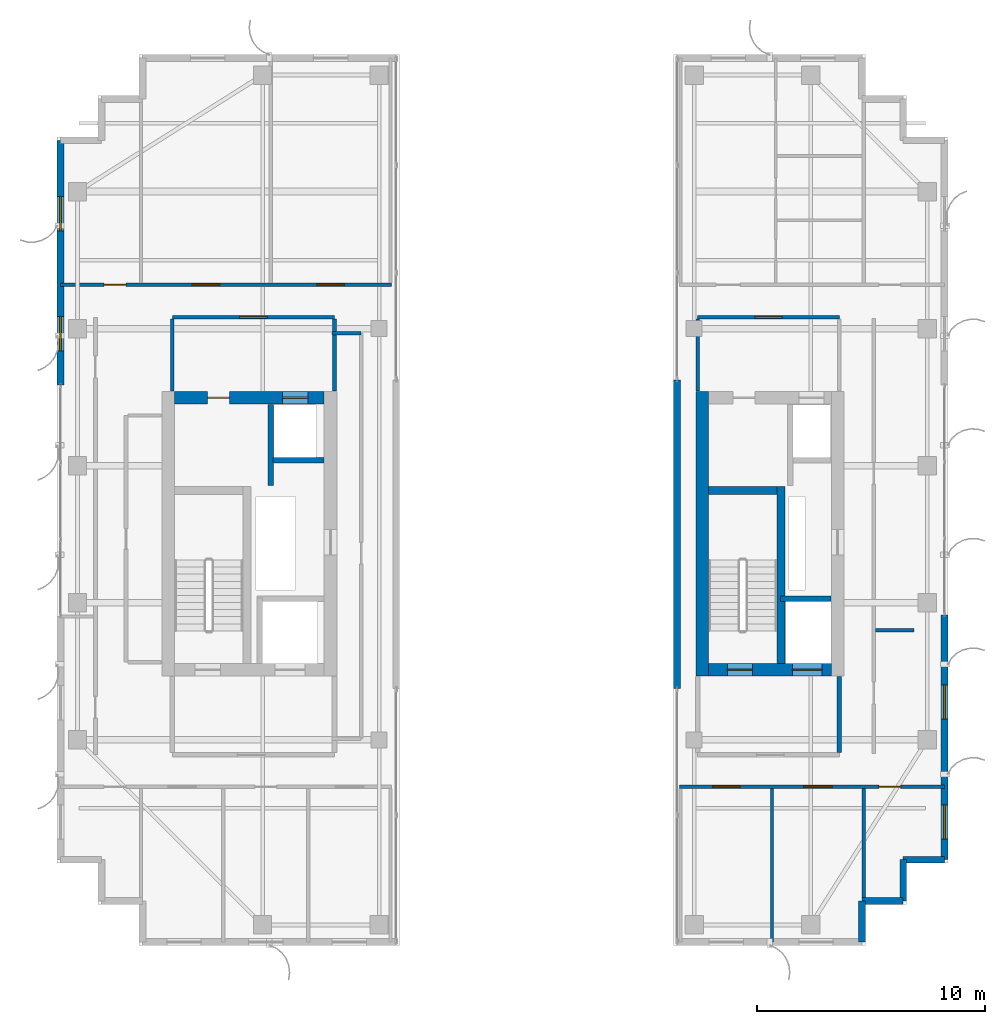
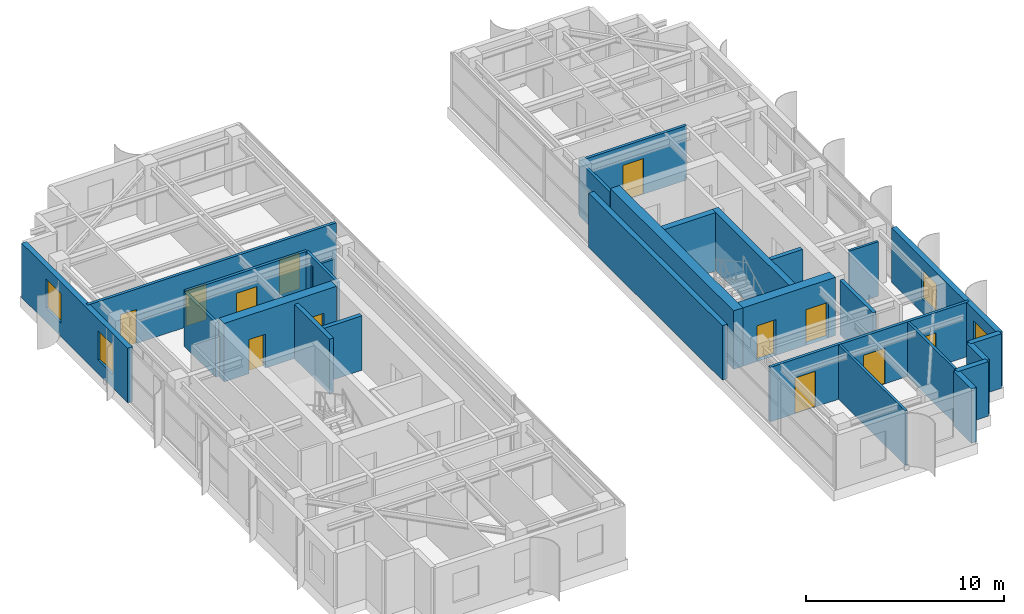
# One storey, part 19 of 24: 27 walls, 12 doors, 4 windows, 16 openings.
"""IFC4 building model written with IfcOpenShell, lengths in metres."""

import ifcopenshell
import ifcopenshell.guid

model = None  # the IFC model being written
_history = None  # IfcOwnerHistory: only IFC2X3 demands one
_inside = {}  # id of a spatial element -> (the spatial element, [elements in it])
_under = {}  # id of a project, library or spatial element -> (it, [spatial elements below it])
_declared = {}  # id of a project -> (the project, [libraries it declares])
_typed = {}  # id of a type object -> (the type object, [elements of that type])
_made_of = {}  # id of a material, layer set ... -> (it, [elements and type objects made of it])


def new_model(schema):
    """Start an empty IFC model of exactly this schema.

    Asked for "IFC4X3", IfcOpenShell would pick the latest addendum, in which some entities
    have other attributes; the version numbers below select the first issue.
    IFC2X3 requires an IfcOwnerHistory on every rooted entity: one is made here for all.
    """
    global model, _history
    if schema == "IFC4X3":
        model = ifcopenshell.file(schema_version=(4, 3, 0, 0))
    else:
        model = ifcopenshell.file(schema=schema)
    _inside.clear()
    _under.clear()
    _declared.clear()
    _typed.clear()
    _made_of.clear()
    _history = None
    if model.schema == "IFC2X3":
        org = make("IfcOrganization", Name="unknown")
        user = make(
            "IfcPersonAndOrganization",
            ThePerson=make("IfcPerson", FamilyName="unknown"),
            TheOrganization=org,
        )
        app = make(
            "IfcApplication",
            ApplicationDeveloper=org,
            Version="unknown",
            ApplicationFullName="unknown",
            ApplicationIdentifier="unknown",
        )
        _history = make(
            "IfcOwnerHistory",
            OwningUser=user,
            OwningApplication=app,
            ChangeAction="ADDED",
            CreationDate=0,
        )
    return model


def make(cls, **values):
    """One entity of the class cls with the attributes given. An attribute that is None is left unset."""
    return model.create_entity(
        cls, **{name: value for name, value in values.items() if value is not None}
    )


def rooted(cls, **values):
    """An entity with a GlobalId (a new one), such as an element, a storey or a relation."""
    return make(cls, GlobalId=ifcopenshell.guid.new(), OwnerHistory=_history, **values)


def si_unit(unit_type, name, prefix=None):
    """IfcSIUnit, for example si_unit("LENGTHUNIT", "METRE", prefix="MILLI")."""
    return make("IfcSIUnit", UnitType=unit_type, Prefix=prefix, Name=name)


def assignment(units):
    """IfcUnitAssignment: the units of a project."""
    return None if units is None else make("IfcUnitAssignment", Units=units)


def point(xyz):
    """IfcCartesianPoint."""
    return None if xyz is None else make("IfcCartesianPoint", Coordinates=xyz)


def direction(xyz):
    """IfcDirection."""
    return None if xyz is None else make("IfcDirection", DirectionRatios=xyz)


def frame(location, z_axis=None, x_axis=None):
    """IfcAxis2Placement3D, a coordinate frame: its origin and axes. An axis left out is left unset."""
    return make(
        "IfcAxis2Placement3D",
        Location=point(location),
        Axis=direction(z_axis),
        RefDirection=direction(x_axis),
    )


def frame_2d(location, x_axis=None):
    """IfcAxis2Placement2D, a coordinate frame in the plane: its origin and x axis."""
    return make(
        "IfcAxis2Placement2D", Location=point(location), RefDirection=direction(x_axis)
    )


def origin():
    """The frame at (0, 0, 0) with its axes left unset."""
    return frame((0.0, 0.0, 0.0))


def place(relative_to, where):
    """IfcLocalPlacement: puts the frame where relative to a parent placement (None: the world)."""
    return make(
        "IfcLocalPlacement", PlacementRelTo=relative_to, RelativePlacement=where
    )


def context(
    kind, dimensions, precision=None, world=None, true_north=None, identifier=None
):
    """IfcGeometricRepresentationContext, for example the 3D "Model" context."""
    return make(
        "IfcGeometricRepresentationContext",
        ContextIdentifier=identifier,
        ContextType=kind,
        CoordinateSpaceDimension=dimensions,
        Precision=precision,
        WorldCoordinateSystem=world,
        TrueNorth=true_north,
    )


def subcontext(parent, identifier, kind, view, scale=None):
    """IfcGeometricRepresentationSubContext, for example "Body" below "Model"."""
    return make(
        "IfcGeometricRepresentationSubContext",
        ContextIdentifier=identifier,
        ContextType=kind,
        ParentContext=parent,
        TargetScale=scale,
        TargetView=view,
    )


def project(units=None, contexts=None):
    """IfcProject with its units and contexts."""
    return rooted(
        "IfcProject",
        Name="project",
        RepresentationContexts=contexts,
        UnitsInContext=assignment(units),
    )


def spatial(cls, under=None, at=None, **own):
    """A site, building, storey or space (cls), placed at a placement, below another one or the project."""
    s = rooted(cls, ObjectPlacement=at, **own)
    if under is not None:
        _under.setdefault(under.id(), (under, []))[1].append(s)
    return s


def profile(cls, at=None, kind="AREA", **sizes):
    """A parametric profile (cls). Its sizes go by their IFC names, for example OverallWidth=200.0."""
    return make(cls, ProfileType=kind, Position=at, **sizes)


def rectangle(**sizes):
    """IfcRectangleProfileDef."""
    return profile("IfcRectangleProfileDef", **sizes)


def extrude(swept, where, along, depth):
    """IfcExtrudedAreaSolid: the profile swept, set in the frame where, extruded along a direction by depth."""
    return make(
        "IfcExtrudedAreaSolid",
        SweptArea=swept,
        Position=where,
        ExtrudedDirection=direction(along),
        Depth=depth,
    )


def shape(context_of_items, identifier, shape_type, items):
    """IfcShapeRepresentation: the items that make up one representation, for example the "Body"."""
    return make(
        "IfcShapeRepresentation",
        ContextOfItems=context_of_items,
        RepresentationIdentifier=identifier,
        RepresentationType=shape_type,
        Items=items,
    )


def source(mapping_origin, context_of_items, identifier, shape_type, items):
    """IfcRepresentationMap: a shape defined once, which mapped items show again and again."""
    return make(
        "IfcRepresentationMap",
        MappingOrigin=mapping_origin,
        MappedRepresentation=shape(context_of_items, identifier, shape_type, items),
    )


def transform(
    local_origin,
    x_axis=None,
    y_axis=None,
    z_axis=None,
    scale=None,
    scale2=None,
    scale3=None,
    uniform=True,
):
    """IfcCartesianTransformationOperator3D, or its non-uniform kind. x_axis, y_axis, z_axis: its Axis1, 2, 3."""
    if uniform:
        return make(
            "IfcCartesianTransformationOperator3D",
            Axis1=direction(x_axis),
            Axis2=direction(y_axis),
            LocalOrigin=point(local_origin),
            Scale=scale,
            Axis3=direction(z_axis),
        )
    return make(
        "IfcCartesianTransformationOperator3DnonUniform",
        Axis1=direction(x_axis),
        Axis2=direction(y_axis),
        LocalOrigin=point(local_origin),
        Scale=scale,
        Axis3=direction(z_axis),
        Scale2=scale2,
        Scale3=scale3,
    )


def mapped(mapping_source, mapping_target):
    """IfcMappedItem: shows the shape of a source again, moved by a transform."""
    return make(
        "IfcMappedItem", MappingSource=mapping_source, MappingTarget=mapping_target
    )


def material(Name=None, Category=None):
    """IfcMaterial."""
    return make("IfcMaterial", Name=Name, Category=Category)


def layer(
    of_material, thickness, ventilated=None, Name=None, Category=None, Priority=None
):
    """IfcMaterialLayer: one layer of a wall or slab, of a material (None: an air gap)."""
    return make(
        "IfcMaterialLayer",
        Material=of_material,
        LayerThickness=thickness,
        IsVentilated=ventilated,
        Name=Name,
        Category=Category,
        Priority=Priority,
    )


def layer_set(layers, Name=None):
    """IfcMaterialLayerSet."""
    return make("IfcMaterialLayerSet", MaterialLayers=layers, LayerSetName=Name)


def made_of(thing, what):
    """Note that an element or type object is made of a material, layer set ...; save() writes the relation."""
    if what is not None:
        _made_of.setdefault(what.id(), (what, []))[1].append(thing)
    return thing


def type_object(cls, material=None, **own):
    """A type object (cls), such as IfcWallType, which elements share."""
    return made_of(rooted(cls, **own), material)


def element(
    cls,
    number,
    at=None,
    inside=None,
    cuts=None,
    type_object=None,
    material=None,
    context=None,
    identifier="Body",
    shape_type=None,
    held_by="IfcProductDefinitionShape",
    body=None,
    shapes=None,
    **own,
):
    """One element of the class cls, such as IfcWall. Its Tag is "e" and its number.

    at: its placement. inside: the storey or other place that contains it. cuts: it is an
    opening in that element (IfcRelVoidsElement). A single representation is given by context,
    identifier, shape_type and body (its items); several are given by shapes. held_by: the class
    of the entity that holds the representations. save() writes the other relations.
    """
    e = rooted(cls, Tag="e%d" % number, ObjectPlacement=at, **own)
    if body is not None:
        shapes = [shape(context, identifier, shape_type, body)]
    if shapes is not None:
        e.Representation = make(held_by, Representations=shapes)
    if inside is not None:
        _inside.setdefault(inside.id(), (inside, []))[1].append(e)
    if cuts is not None:
        rooted(
            "IfcRelVoidsElement", RelatingBuildingElement=cuts, RelatedOpeningElement=e
        )
    if type_object is not None:
        _typed.setdefault(type_object.id(), (type_object, []))[1].append(e)
    return made_of(e, material)


def fill(opening, filler):
    """IfcRelFillsElement: the door or window that sits in an opening."""
    return rooted(
        "IfcRelFillsElement",
        RelatingOpeningElement=opening,
        RelatedBuildingElement=filler,
    )


def aggregate(whole, parts):
    """IfcRelAggregates: a whole, such as a stair, and the parts it consists of."""
    return rooted("IfcRelAggregates", RelatingObject=whole, RelatedObjects=parts)


def save(model, path):
    """Write the relations noted so far, then the file.

    IfcRelAggregates (storeys below a building ...), IfcRelContainedInSpatialStructure (elements
    in a storey), IfcRelDefinesByType, IfcRelAssociatesMaterial and IfcRelDeclares: one each for
    every whole, place, type object, material and project.
    """
    for whole, parts in _under.values():
        aggregate(whole, parts)
    for where, things in _inside.values():
        rooted(
            "IfcRelContainedInSpatialStructure",
            RelatedElements=things,
            RelatingStructure=where,
        )
    for kind, things in _typed.values():
        rooted("IfcRelDefinesByType", RelatedObjects=things, RelatingType=kind)
    for what, things in _made_of.values():
        rooted("IfcRelAssociatesMaterial", RelatedObjects=things, RelatingMaterial=what)
    for by, libraries in _declared.values():
        rooted("IfcRelDeclares", RelatingContext=by, RelatedDefinitions=libraries)
    model.write(path)


model = new_model("IFC4")

# Units and contexts
model_context = context("Model", 3, precision=1e-05, world=origin(), true_north=direction((0.0, 1.0)))
body_context = subcontext(model_context, "Body", "Model", "MODEL_VIEW")
ifc_project = project(units=[si_unit("LENGTHUNIT", "METRE"), si_unit("AREAUNIT", "SQUARE_METRE"), si_unit("VOLUMEUNIT", "CUBIC_METRE"), si_unit("PLANEANGLEUNIT", "RADIAN"), si_unit("MASSUNIT", "GRAM", prefix="KILO")], contexts=[model_context])

# Site, building, storey
site_placement = place(None, origin())
site = spatial("IfcSite", under=ifc_project, at=site_placement, CompositionType="ELEMENT")
building_placement = place(site_placement, origin())
building = spatial("IfcBuilding", under=site, at=building_placement, Name="Khoralis Quay Care Tower", CompositionType="ELEMENT")
storey_placement = place(building_placement, frame((0.0, 0.0, 227.699951171875)))
storey = spatial("IfcBuildingStorey", under=building, at=storey_placement, Name="L59", CompositionType="ELEMENT", Elevation=227.699951171875)

# Wall
ifc_material_1 = material(Name="Gypsum plasterboard on acoustic metal stud")
ifc_layer_1 = layer(ifc_material_1, 0.199951171875)
ifc_layer_set_1 = layer_set([ifc_layer_1], Name="Gypsum plasterboard on acoustic metal stud")
wall_type_1 = type_object("IfcWallType", Name="WL-COMP-200", PredefinedType="PARTITIONING", material=ifc_layer_set_1)
wall_1_placement = place(storey_placement, frame((37.25, 11.445068359375, 0.0), z_axis=(0.0, 0.0, 1.0), x_axis=(0.0, 1.0, 0.0)))
element("IfcWall", 1, at=wall_1_placement, inside=storey, type_object=wall_type_1, Name="L59 East Firefighting Lobby East Wall", PredefinedType="PARTITIONING", context=body_context, shape_type="SweptSolid", body=[
    extrude(rectangle(XDim=3.3349609375, YDim=0.199951171875, at=frame_2d((1.66748046875, 0.0))), origin(), (0.0, 0.0, 1.0), 3.360107421875),
])

# Wall, openings, doors
ifc_material_2 = material(Name="Concrete C65/80", Category="concrete")
ifc_layer_2 = layer(ifc_material_2, 0.550048828125)
ifc_layer_set_2 = layer_set([ifc_layer_2], Name="Concrete C65/80")
wall_type_2 = type_object("IfcWallType", Name="WL-CORE-550", PredefinedType="SHEAR", material=ifc_layer_set_2)
wall_2_placement = place(storey_placement, frame((8.14990234375, 26.97509765625, 0.0), z_axis=(0.0, 0.0, 1.0), x_axis=(1.0, 0.0, 0.0)))
wall_2 = element("IfcWall", 2, at=wall_2_placement, inside=storey, type_object=wall_type_2, Name="L59 WCORE North Shear Wall", PredefinedType="SHEAR", context=body_context, shape_type="SweptSolid", body=[
    extrude(rectangle(XDim=6.550048828125, YDim=0.550048828125, at=frame_2d((3.27490234375, 0.0))), origin(), (0.0, 0.0, 1.0), 3.60009765625),
])
opening_1_placement = place(wall_2_placement, frame((1.449951171875, 0.0, 0.0)))
opening_1 = element("IfcOpeningElement", 3, at=opening_1_placement, cuts=wall_2, Name="Opening ID1", PredefinedType="OPENING", context=body_context, shape_type="SweptSolid", body=[
    extrude(rectangle(XDim=0.949951171875, YDim=2.10009765625, at=frame_2d((0.47509765625, 1.050048828125))), frame((0.0, 0.28515625, 0.0), z_axis=(0.0, -1.0, 0.0), x_axis=(1.0, 0.0, 0.0)), (0.0, 0.0, 1.0), 0.570068359375),
])
opening_2_placement = place(wall_2_placement, frame((4.72998046875, 0.0, 0.0)))
opening_2 = element("IfcOpeningElement", 4, at=opening_2_placement, cuts=wall_2, Name="Opening LD1", PredefinedType="OPENING", context=body_context, shape_type="SweptSolid", body=[
    extrude(rectangle(XDim=1.10009765625, YDim=2.199951171875, at=frame_2d((0.550048828125, 1.10009765625))), frame((0.0, 0.28515625, 0.0), z_axis=(0.0, -1.0, 0.0), x_axis=(1.0, 0.0, 0.0)), (0.0, 0.0, 1.0), 0.570068359375),
])
ifc_material_3 = material(Name="Brushed stainless steel", Category="steel")
door_type_1 = type_object("IfcDoorType", Name="DR-LIFT-1100X2200", OperationType="SLIDING_TO_LEFT", PredefinedType="DOOR", material=ifc_material_3)
shared_shape_1 = source(origin(), body_context, "Body", "SweptSolid", [
    extrude(rectangle(XDim=1.10009765625, YDim=2.199951171875, at=frame_2d((0.550048828125, 1.10009765625))), frame((0.0, 0.02490234375, 0.0), z_axis=(0.0, -1.0, 0.0), x_axis=(1.0, 0.0, 0.0)), (0.0, 0.0, 1.0), 0.050048828125),
])
door_1_placement = place(opening_2_placement, origin())
door_1 = element("IfcDoor", 5, at=door_1_placement, inside=storey, type_object=door_type_1, Name="L59 Lift PLH1 Landing Door", OperationType="SLIDING_TO_LEFT", OverallHeight=2.199951171875, OverallWidth=1.10009765625, PredefinedType="DOOR", context=body_context, shape_type="MappedRepresentation", body=[
    mapped(shared_shape_1, transform((0.0, 0.0, 0.0), scale=1.0)),
])
fill(opening_2, door_1)
ifc_material_4 = material(Name="Acoustic hardwood timber", Category="wood")
door_type_2 = type_object("IfcDoorType", Name="DR-ROOM-950X2100", OperationType="NOTDEFINED", PredefinedType="DOOR", material=ifc_material_4)
shared_shape_2 = source(origin(), body_context, "Body", "SweptSolid", [
    extrude(rectangle(XDim=0.949951171875, YDim=2.10009765625, at=frame_2d((0.47509765625, 1.050048828125))), frame((0.0, 0.02490234375, 0.0), z_axis=(0.0, -1.0, 0.0), x_axis=(1.0, 0.0, 0.0)), (0.0, 0.0, 1.0), 0.050048828125),
])
door_2_placement = place(opening_1_placement, frame((0.949951171875, 0.0, 0.0), z_axis=(0.0, 0.0, 1.0), x_axis=(-1.0, 0.0, 0.0)))
door_2 = element("IfcDoor", 6, at=door_2_placement, inside=storey, type_object=door_type_2, Name="L59 Telemetry Room Door", OperationType="SINGLE_SWING_LEFT", OverallHeight=2.10009765625, OverallWidth=0.949951171875, PredefinedType="DOOR", context=body_context, shape_type="MappedRepresentation", body=[
    mapped(shared_shape_2, transform((0.0, 0.0, 0.0), scale=1.0)),
])
fill(opening_1, door_2)

# Wall
wall_3_placement = place(storey_placement, frame((31.2451171875, 14.800048828125, 0.0), z_axis=(0.0, 0.0, 1.0), x_axis=(0.0, 1.0, 0.0)))
element("IfcWall", 7, at=wall_3_placement, inside=storey, type_object=wall_type_2, Name="L59 ECORE West Shear Wall", PredefinedType="SHEAR", context=body_context, shape_type="SweptSolid", body=[
    extrude(rectangle(XDim=12.449951171875, YDim=0.550048828125, at=frame_2d((6.22509765625, 0.0))), origin(), (0.0, 0.0, 1.0), 3.60009765625),
])

# Wall, openings, doors
wall_4_placement = place(storey_placement, frame((31.52001953125, 15.074951171875, 0.0), z_axis=(0.0, 0.0, 1.0), x_axis=(1.0, 0.0, 0.0)))
wall_4 = element("IfcWall", 8, at=wall_4_placement, inside=storey, type_object=wall_type_2, Name="L59 ECORE South Shear Wall", PredefinedType="SHEAR", context=body_context, shape_type="SweptSolid", body=[
    extrude(rectangle(XDim=5.3798828125, YDim=0.550048828125, at=frame_2d((2.68994140625, 0.0))), origin(), (0.0, 0.0, 1.0), 3.60009765625),
])
opening_3_placement = place(wall_4_placement, frame((0.830078125, 0.0, 0.0)))
opening_3 = element("IfcOpeningElement", 9, at=opening_3_placement, cuts=wall_4, Name="Opening SD1", PredefinedType="OPENING", context=body_context, shape_type="SweptSolid", body=[
    extrude(rectangle(XDim=1.10009765625, YDim=2.199951171875, at=frame_2d((0.550048828125, 1.10009765625))), frame((0.0, 0.28515625, 0.0), z_axis=(0.0, -1.0, 0.0), x_axis=(1.0, 0.0, 0.0)), (0.0, 0.0, 1.0), 0.570068359375),
])
opening_4_placement = place(wall_4_placement, frame((3.679931640625, 0.0, 0.0)))
opening_4 = element("IfcOpeningElement", 10, at=opening_4_placement, cuts=wall_4, Name="Opening LD2", PredefinedType="OPENING", context=body_context, shape_type="SweptSolid", body=[
    extrude(rectangle(XDim=1.300048828125, YDim=2.199951171875, at=frame_2d((0.64990234375, 1.10009765625))), frame((0.0, 0.28515625, 0.0), z_axis=(0.0, -1.0, 0.0), x_axis=(1.0, 0.0, 0.0)), (0.0, 0.0, 1.0), 0.570068359375),
])
ifc_material_5 = material(Name="Fire-rated painted steel", Category="steel")
door_type_3 = type_object("IfcDoorType", Name="DR-STAIR-1100X2200", OperationType="NOTDEFINED", PredefinedType="DOOR", material=ifc_material_5)
shared_shape_3 = source(origin(), body_context, "Body", "SweptSolid", [
    extrude(rectangle(XDim=1.10009765625, YDim=2.199951171875, at=frame_2d((0.550048828125, 1.10009765625))), frame((0.0, 0.02490234375, 0.0), z_axis=(0.0, -1.0, 0.0), x_axis=(1.0, 0.0, 0.0)), (0.0, 0.0, 1.0), 0.050048828125),
])
door_3_placement = place(opening_3_placement, origin())
door_3 = element("IfcDoor", 11, at=door_3_placement, inside=storey, type_object=door_type_3, Name="L59 Stair ST-T2 Fire Door", OperationType="SINGLE_SWING_RIGHT", OverallHeight=2.199951171875, OverallWidth=1.10009765625, PredefinedType="DOOR", context=body_context, shape_type="MappedRepresentation", body=[
    mapped(shared_shape_3, transform((0.0, 0.0, 0.0), scale=1.0)),
])
fill(opening_3, door_3)
door_type_4 = type_object("IfcDoorType", Name="DR-LIFT-1300X2200", OperationType="SLIDING_TO_RIGHT", PredefinedType="DOOR", material=ifc_material_3)
shared_shape_4 = source(origin(), body_context, "Body", "SweptSolid", [
    extrude(rectangle(XDim=1.300048828125, YDim=2.199951171875, at=frame_2d((0.64990234375, 1.10009765625))), frame((0.0, 0.02490234375, 0.0), z_axis=(0.0, -1.0, 0.0), x_axis=(1.0, 0.0, 0.0)), (0.0, 0.0, 1.0), 0.050048828125),
])
door_4_placement = place(opening_4_placement, origin())
door_4 = element("IfcDoor", 12, at=door_4_placement, inside=storey, type_object=door_type_4, Name="L59 Firefighting Lift FFL-2 Landing Door", OperationType="SLIDING_TO_RIGHT", OverallHeight=2.199951171875, OverallWidth=1.300048828125, PredefinedType="DOOR", context=body_context, shape_type="MappedRepresentation", body=[
    mapped(shared_shape_4, transform((0.0, 0.0, 0.0), scale=1.0)),
])
fill(opening_4, door_4)

# Wall, opening, door
ifc_layer_3 = layer(ifc_material_1, 0.1650390625)
ifc_layer_set_3 = layer_set([ifc_layer_3], Name="Gypsum plasterboard on acoustic metal stud")
wall_type_3 = type_object("IfcWallType", Name="WL-CORR-165", PredefinedType="PARTITIONING", material=ifc_layer_set_3)
wall_5_placement = place(storey_placement, frame((8.050048828125, 30.5, 0.0), z_axis=(0.0, 0.0, 1.0), x_axis=(1.0, 0.0, 0.0)))
wall_5 = element("IfcWall", 13, at=wall_5_placement, inside=storey, type_object=wall_type_3, Name="L59 West Lift Lobby North Wall", PredefinedType="PARTITIONING", context=body_context, shape_type="SweptSolid", body=[
    extrude(rectangle(XDim=7.099853515625, YDim=0.1650390625, at=frame_2d((3.5498046875, 0.0))), origin(), (0.0, 0.0, 1.0), 3.360107421875),
])
opening_5_placement = place(wall_5_placement, frame((2.949951171875, 0.0, 0.0)))
opening_5 = element("IfcOpeningElement", 14, at=opening_5_placement, cuts=wall_5, Name="Opening FD1", PredefinedType="OPENING", context=body_context, shape_type="SweptSolid", body=[
    extrude(rectangle(XDim=1.199951171875, YDim=2.199951171875, at=frame_2d((0.60009765625, 1.10009765625))), frame((0.0, 0.092529296875, 0.0), z_axis=(0.0, -1.0, 0.0), x_axis=(1.0, 0.0, 0.0)), (0.0, 0.0, 1.0), 0.18505859375),
])
door_type_5 = type_object("IfcDoorType", Name="DR-FFL-1200X2200", OperationType="NOTDEFINED", PredefinedType="DOOR", material=ifc_material_5)
shared_shape_5 = source(origin(), body_context, "Body", "SweptSolid", [
    extrude(rectangle(XDim=1.199951171875, YDim=2.199951171875, at=frame_2d((0.60009765625, 1.10009765625))), frame((0.0, 0.02490234375, 0.0), z_axis=(0.0, -1.0, 0.0), x_axis=(1.0, 0.0, 0.0)), (0.0, 0.0, 1.0), 0.050048828125),
])
door_5_placement = place(opening_5_placement, origin())
door_5 = element("IfcDoor", 15, at=door_5_placement, inside=storey, type_object=door_type_5, Name="L59 West Lift Lobby Double Door", OperationType="DOUBLE_DOOR_SINGLE_SWING", OverallHeight=2.199951171875, OverallWidth=1.199951171875, PredefinedType="DOOR", context=body_context, shape_type="MappedRepresentation", body=[
    mapped(shared_shape_5, transform((0.0, 0.0, 0.0), scale=1.0)),
])
fill(opening_5, door_5)

# Walls
for number, where, z_axis, x_axis, name in (
    (16, (8.050048828125, 27.27001953125, 0.0), (0.0, 0.0, 1.0), (0.0, 1.0, 0.0), "L59 West Lift Lobby West Wall"),
    (17, (15.14990234375, 27.27001953125, 0.0), (0.0, 0.0, 1.0), (0.0, 1.0, 0.0), "L59 West Lift Lobby East Wall"),
):
    element("IfcWall", number, at=place(storey_placement, frame(where, z_axis=z_axis, x_axis=x_axis)), inside=storey, type_object=wall_type_3, Name=name, PredefinedType="PARTITIONING", context=body_context, shape_type="SweptSolid", body=[
        extrude(rectangle(XDim=3.152587890625, YDim=0.1650390625, at=frame_2d((1.576171875, 0.0))), origin(), (0.0, 0.0, 1.0), 3.360107421875),
    ])

# Wall, opening, door
wall_6_placement = place(storey_placement, frame((31.050048828125, 30.5, 0.0), z_axis=(0.0, 0.0, 1.0), x_axis=(1.0, 0.0, 0.0)))
wall_6 = element("IfcWall", 18, at=wall_6_placement, inside=storey, type_object=wall_type_3, Name="L59 East Lift Lobby North Wall", PredefinedType="PARTITIONING", context=body_context, shape_type="SweptSolid", body=[
    extrude(rectangle(XDim=6.199951171875, YDim=0.1650390625, at=frame_2d((3.10009765625, 0.0))), origin(), (0.0, 0.0, 1.0), 3.360107421875),
])
opening_6_placement = place(wall_6_placement, frame((2.5, 0.0, 0.0)))
opening_6 = element("IfcOpeningElement", 19, at=opening_6_placement, cuts=wall_6, Name="Opening FD1", PredefinedType="OPENING", context=body_context, shape_type="SweptSolid", body=[
    extrude(rectangle(XDim=1.199951171875, YDim=2.199951171875, at=frame_2d((0.60009765625, 1.10009765625))), frame((0.0, 0.092529296875, 0.0), z_axis=(0.0, -1.0, 0.0), x_axis=(1.0, 0.0, 0.0)), (0.0, 0.0, 1.0), 0.18505859375),
])
door_6_placement = place(opening_6_placement, origin())
door_6 = element("IfcDoor", 20, at=door_6_placement, inside=storey, type_object=door_type_5, Name="L59 East Lift Lobby Double Door", OperationType="DOUBLE_DOOR_SINGLE_SWING", OverallHeight=2.199951171875, OverallWidth=1.199951171875, PredefinedType="DOOR", context=body_context, shape_type="MappedRepresentation", body=[
    mapped(shared_shape_5, transform((0.0, 0.0, 0.0), scale=1.0)),
])
fill(opening_6, door_6)

# Wall
wall_7_placement = place(storey_placement, frame((31.050048828125, 27.27001953125, 0.0), z_axis=(0.0, 0.0, 1.0), x_axis=(0.0, 1.0, 0.0)))
element("IfcWall", 21, at=wall_7_placement, inside=storey, type_object=wall_type_3, Name="L59 East Lift Lobby West Wall", PredefinedType="PARTITIONING", context=body_context, shape_type="SweptSolid", body=[
    extrude(rectangle(XDim=3.152587890625, YDim=0.1650390625, at=frame_2d((1.576171875, 0.0))), origin(), (0.0, 0.0, 1.0), 3.360107421875),
])

# Wall, openings, doors
wall_8_placement = place(storey_placement, frame((3.14501953125, 31.919921875, 0.0), z_axis=(0.0, 0.0, 1.0), x_axis=(1.0, 0.0, 0.0)))
wall_8 = element("IfcWall", 22, at=wall_8_placement, inside=storey, type_object=wall_type_3, Name="L59 West Wing North Corridor Wall", PredefinedType="PARTITIONING", context=body_context, shape_type="SweptSolid", body=[
    extrude(rectangle(XDim=14.5048828125, YDim=0.1650390625, at=frame_2d((7.25244140625, 0.0))), origin(), (0.0, 0.0, 1.0), 3.360107421875),
])
opening_7_placement = place(wall_8_placement, frame((5.77490234375, 0.0, 0.0)))
opening_7 = element("IfcOpeningElement", 23, at=opening_7_placement, cuts=wall_8, Name="Opening FD1", PredefinedType="OPENING", context=body_context, shape_type="SweptSolid", body=[
    extrude(rectangle(XDim=1.199951171875, YDim=2.199951171875, at=frame_2d((0.60009765625, 1.10009765625))), frame((0.0, 0.092529296875, 0.0), z_axis=(0.0, -1.0, 0.0), x_axis=(1.0, 0.0, 0.0)), (0.0, 0.0, 1.0), 0.18505859375),
])
opening_8_placement = place(wall_8_placement, frame((11.235107421875, 0.0, 0.0)))
opening_8 = element("IfcOpeningElement", 24, at=opening_8_placement, cuts=wall_8, Name="Opening FD1", PredefinedType="OPENING", context=body_context, shape_type="SweptSolid", body=[
    extrude(rectangle(XDim=1.199951171875, YDim=2.199951171875, at=frame_2d((0.60009765625, 1.10009765625))), frame((0.0, 0.092529296875, 0.0), z_axis=(0.0, -1.0, 0.0), x_axis=(1.0, 0.0, 0.0)), (0.0, 0.0, 1.0), 0.18505859375),
])
opening_9_placement = place(wall_8_placement, frame((1.919921875, 0.0, 0.0)))
opening_9 = element("IfcOpeningElement", 25, at=opening_9_placement, cuts=wall_8, Name="Opening ID1", PredefinedType="OPENING", context=body_context, shape_type="SweptSolid", body=[
    extrude(rectangle(XDim=0.949951171875, YDim=2.10009765625, at=frame_2d((0.47509765625, 1.050048828125))), frame((0.0, 0.092529296875, 0.0), z_axis=(0.0, -1.0, 0.0), x_axis=(1.0, 0.0, 0.0)), (0.0, 0.0, 1.0), 0.18505859375),
])
door_7_placement = place(opening_7_placement, origin())
door_7 = element("IfcDoor", 26, at=door_7_placement, inside=storey, type_object=door_type_5, Name="L59 Resident Communal Day Lounge Door", OperationType="DOUBLE_DOOR_SINGLE_SWING", OverallHeight=2.199951171875, OverallWidth=1.199951171875, PredefinedType="DOOR", context=body_context, shape_type="MappedRepresentation", body=[
    mapped(shared_shape_5, transform((0.0, 0.0, 0.0), scale=1.0)),
])
fill(opening_7, door_7)
door_8_placement = place(opening_8_placement, origin())
door_8 = element("IfcDoor", 27, at=door_8_placement, inside=storey, type_object=door_type_5, Name="L59 Resident Communal Day Lounge Door", OperationType="DOUBLE_DOOR_SINGLE_SWING", OverallHeight=2.199951171875, OverallWidth=1.199951171875, PredefinedType="DOOR", context=body_context, shape_type="MappedRepresentation", body=[
    mapped(shared_shape_5, transform((0.0, 0.0, 0.0), scale=1.0)),
])
fill(opening_8, door_8)
door_9_placement = place(opening_9_placement, origin())
door_9 = element("IfcDoor", 28, at=door_9_placement, inside=storey, type_object=door_type_2, Name="L59 NW Corner Door", OperationType="SINGLE_SWING_RIGHT", OverallHeight=2.10009765625, OverallWidth=0.949951171875, PredefinedType="DOOR", context=body_context, shape_type="MappedRepresentation", body=[
    mapped(shared_shape_2, transform((0.0, 0.0, 0.0), scale=1.0)),
])
fill(opening_9, door_9)

wall_9_placement = place(storey_placement, frame((30.25, 9.949951171875, 0.0), z_axis=(0.0, 0.0, 1.0), x_axis=(1.0, 0.0, 0.0)))
wall_9 = element("IfcWall", 29, at=wall_9_placement, inside=storey, type_object=wall_type_3, Name="L59 East Wing South Corridor Wall", PredefinedType="PARTITIONING", context=body_context, shape_type="SweptSolid", body=[
    extrude(rectangle(XDim=11.60498046875, YDim=0.1650390625, at=frame_2d((5.802490234375, 0.0))), origin(), (0.0, 0.0, 1.0), 3.360107421875),
])
opening_10_placement = place(wall_9_placement, frame((1.455078125, 0.0, 0.0)))
opening_10 = element("IfcOpeningElement", 30, at=opening_10_placement, cuts=wall_9, Name="Opening FD1", PredefinedType="OPENING", context=body_context, shape_type="SweptSolid", body=[
    extrude(rectangle(XDim=1.199951171875, YDim=2.199951171875, at=frame_2d((0.60009765625, 1.10009765625))), frame((0.0, 0.092529296875, 0.0), z_axis=(0.0, -1.0, 0.0), x_axis=(1.0, 0.0, 0.0)), (0.0, 0.0, 1.0), 0.18505859375),
])
opening_11_placement = place(wall_9_placement, frame((5.43994140625, 0.0, 0.0)))
opening_11 = element("IfcOpeningElement", 31, at=opening_11_placement, cuts=wall_9, Name="Opening CD1", PredefinedType="OPENING", context=body_context, shape_type="SweptSolid", body=[
    extrude(rectangle(XDim=1.25, YDim=2.199951171875, at=frame_2d((0.625, 1.10009765625))), frame((0.0, 0.092529296875, 0.0), z_axis=(0.0, -1.0, 0.0), x_axis=(1.0, 0.0, 0.0)), (0.0, 0.0, 1.0), 0.18505859375),
])
opening_12_placement = place(wall_9_placement, frame((8.735107421875, 0.0, 0.0)))
opening_12 = element("IfcOpeningElement", 32, at=opening_12_placement, cuts=wall_9, Name="Opening ID1", PredefinedType="OPENING", context=body_context, shape_type="SweptSolid", body=[
    extrude(rectangle(XDim=0.949951171875, YDim=2.10009765625, at=frame_2d((0.47509765625, 1.050048828125))), frame((0.0, 0.092529296875, 0.0), z_axis=(0.0, -1.0, 0.0), x_axis=(1.0, 0.0, 0.0)), (0.0, 0.0, 1.0), 0.18505859375),
])
door_10_placement = place(opening_10_placement, frame((1.199951171875, 0.0, 0.0), z_axis=(0.0, 0.0, 1.0), x_axis=(-1.0, 0.0, 0.0)))
door_10 = element("IfcDoor", 33, at=door_10_placement, inside=storey, type_object=door_type_5, Name="L59 Resident Communal Day Lounge Door", OperationType="DOUBLE_DOOR_SINGLE_SWING", OverallHeight=2.199951171875, OverallWidth=1.199951171875, PredefinedType="DOOR", context=body_context, shape_type="MappedRepresentation", body=[
    mapped(shared_shape_5, transform((0.0, 0.0, 0.0), scale=1.0)),
])
fill(opening_10, door_10)
door_type_6 = type_object("IfcDoorType", Name="DR-CARE-1250X2200", OperationType="NOTDEFINED", PredefinedType="DOOR", material=ifc_material_4)
shared_shape_6 = source(origin(), body_context, "Body", "SweptSolid", [
    extrude(rectangle(XDim=1.25, YDim=2.199951171875, at=frame_2d((0.625, 1.10009765625))), frame((0.0, 0.02490234375, 0.0), z_axis=(0.0, -1.0, 0.0), x_axis=(1.0, 0.0, 0.0)), (0.0, 0.0, 1.0), 0.050048828125),
])
door_11_placement = place(opening_11_placement, frame((1.25, 0.0, 0.0), z_axis=(0.0, 0.0, 1.0), x_axis=(-1.0, 0.0, 0.0)))
door_11 = element("IfcDoor", 34, at=door_11_placement, inside=storey, type_object=door_type_6, Name="L59 Geriatric Consultation Clinic Door", OperationType="SINGLE_SWING_LEFT", OverallHeight=2.199951171875, OverallWidth=1.25, PredefinedType="DOOR", context=body_context, shape_type="MappedRepresentation", body=[
    mapped(shared_shape_6, transform((0.0, 0.0, 0.0), scale=1.0)),
])
fill(opening_11, door_11)
door_12_placement = place(opening_12_placement, frame((0.949951171875, 0.0, 0.0), z_axis=(0.0, 0.0, 1.0), x_axis=(-1.0, 0.0, 0.0)))
door_12 = element("IfcDoor", 35, at=door_12_placement, inside=storey, type_object=door_type_2, Name="L59 SE Corner Door", OperationType="SINGLE_SWING_RIGHT", OverallHeight=2.10009765625, OverallWidth=0.949951171875, PredefinedType="DOOR", context=body_context, shape_type="MappedRepresentation", body=[
    mapped(shared_shape_2, transform((0.0, 0.0, 0.0), scale=1.0)),
])
fill(opening_12, door_12)

# Wall, openings, windows
ifc_material_6 = material(Name="Precast concrete C45/55", Category="concrete")
ifc_layer_4 = layer(ifc_material_6, 0.300048828125)
ifc_layer_set_4 = layer_set([ifc_layer_4], Name="Precast concrete C45/55")
wall_type_4 = type_object("IfcWallType", Name="WL-EXT-REF-300", PredefinedType="SOLIDWALL", material=ifc_layer_set_4)
wall_10_placement = place(storey_placement, frame((3.14990234375, 38.25, 0.0), z_axis=(0.0, 0.0, 1.0), x_axis=(0.0, -1.0, 0.0)))
wall_10 = element("IfcWall", 36, at=wall_10_placement, inside=storey, type_object=wall_type_4, Name="L59 External Facade Wall WL-EXT-L59-P1-E7A", PredefinedType="SOLIDWALL", context=body_context, shape_type="SweptSolid", body=[
    extrude(rectangle(XDim=10.7099609375, YDim=0.300048828125, at=frame_2d((5.35498046875, 0.0))), origin(), (0.0, 0.0, 1.0), 3.360107421875),
])
opening_13_placement = place(wall_10_placement, frame((2.465087890625, 0.0, 0.85009765625)))
opening_13 = element("IfcOpeningElement", 37, at=opening_13_placement, cuts=wall_10, Name="Opening W3", PredefinedType="OPENING", context=body_context, shape_type="SweptSolid", body=[
    extrude(rectangle(XDim=1.5, YDim=1.800048828125, at=frame_2d((0.75, 0.89990234375))), frame((0.0, 0.16015625, 0.0), z_axis=(0.0, -1.0, 0.0), x_axis=(1.0, 0.0, 0.0)), (0.0, 0.0, 1.0), 0.320068359375),
])
opening_14_placement = place(wall_10_placement, frame((7.719970703125, 0.0, 0.85009765625)))
opening_14 = element("IfcOpeningElement", 38, at=opening_14_placement, cuts=wall_10, Name="Opening W3", PredefinedType="OPENING", context=body_context, shape_type="SweptSolid", body=[
    extrude(rectangle(XDim=1.5, YDim=1.800048828125, at=frame_2d((0.75, 0.89990234375))), frame((0.0, 0.16015625, 0.0), z_axis=(0.0, -1.0, 0.0), x_axis=(1.0, 0.0, 0.0)), (0.0, 0.0, 1.0), 0.320068359375),
])
ifc_material_7 = material(Name="Low-E solar-control double glazing", Category="glass")
window_type = type_object("IfcWindowType", Name="WN-CLIN-1500X1800", PartitioningType="SINGLE_PANEL", PredefinedType="WINDOW", material=ifc_material_7)
shared_shape_7 = source(origin(), body_context, "Body", "SweptSolid", [
    extrude(rectangle(XDim=1.5, YDim=1.800048828125, at=frame_2d((0.75, 0.89990234375))), frame((0.0, 0.030029296875, 0.0), z_axis=(0.0, -1.0, 0.0), x_axis=(1.0, 0.0, 0.0)), (0.0, 0.0, 1.0), 0.06005859375),
])
window_1_placement = place(opening_13_placement, origin())
window_1 = element("IfcWindow", 39, at=window_1_placement, inside=storey, type_object=window_type, Name="WN-L59-P1-E7A Facade Window 01", OverallHeight=1.800048828125, OverallWidth=1.5, PartitioningType="SINGLE_PANEL", PredefinedType="WINDOW", context=body_context, shape_type="MappedRepresentation", body=[
    mapped(shared_shape_7, transform((0.0, 0.0, 0.0), scale=1.0)),
])
fill(opening_13, window_1)
window_2_placement = place(opening_14_placement, origin())
window_2 = element("IfcWindow", 40, at=window_2_placement, inside=storey, type_object=window_type, Name="WN-L59-P1-E7A Facade Window 02", OverallHeight=1.800048828125, OverallWidth=1.5, PartitioningType="SINGLE_PANEL", PredefinedType="WINDOW", context=body_context, shape_type="MappedRepresentation", body=[
    mapped(shared_shape_7, transform((0.0, 0.0, 0.0), scale=1.0)),
])
fill(opening_14, window_2)

# Walls
for number, where, z_axis, x_axis, name in (
    (41, (38.25, 3.14990234375, 0.0), (0.0, 0.0, 1.0), (0.0, 1.0, 0.0), "L59 External Facade Wall WL-EXT-L59-P2-C1"),
    (42, (38.25, 4.949951171875, 0.0), (0.0, 0.0, 1.0), (1.0, 0.0, 0.0), "L59 External Facade Wall WL-EXT-L59-P2-C2"),
    (43, (40.050048828125, 4.949951171875, 0.0), (0.0, 0.0, 1.0), (0.0, 1.0, 0.0), "L59 External Facade Wall WL-EXT-L59-P2-C3"),
    (44, (40.050048828125, 6.75, 0.0), (0.0, 0.0, 1.0), (1.0, 0.0, 0.0), "L59 External Facade Wall WL-EXT-L59-P2-C4"),
):
    element("IfcWall", number, at=place(storey_placement, frame(where, z_axis=z_axis, x_axis=x_axis)), inside=storey, type_object=wall_type_4, Name=name, PredefinedType="SOLIDWALL", context=body_context, shape_type="SweptSolid", body=[
        extrude(rectangle(XDim=1.800048828125, YDim=0.300048828125, at=frame_2d((0.89990234375, 0.0))), origin(), (0.0, 0.0, 1.0), 3.360107421875),
    ])

# Wall, openings, windows
wall_11_placement = place(storey_placement, frame((41.85009765625, 6.75, 0.0), z_axis=(0.0, 0.0, 1.0), x_axis=(0.0, 1.0, 0.0)))
wall_11 = element("IfcWall", 45, at=wall_11_placement, inside=storey, type_object=wall_type_4, Name="L59 External Facade Wall WL-EXT-L59-P2-E5A", PredefinedType="SOLIDWALL", context=body_context, shape_type="SweptSolid", body=[
    extrude(rectangle(XDim=10.7099609375, YDim=0.300048828125, at=frame_2d((5.35498046875, 0.0))), origin(), (0.0, 0.0, 1.0), 3.360107421875),
])
opening_15_placement = place(wall_11_placement, frame((0.89990234375, 0.0, 0.85009765625)))
opening_15 = element("IfcOpeningElement", 46, at=opening_15_placement, cuts=wall_11, Name="Opening W3", PredefinedType="OPENING", context=body_context, shape_type="SweptSolid", body=[
    extrude(rectangle(XDim=1.5, YDim=1.800048828125, at=frame_2d((0.75, 0.89990234375))), frame((0.0, 0.16015625, 0.0), z_axis=(0.0, -1.0, 0.0), x_axis=(1.0, 0.0, 0.0)), (0.0, 0.0, 1.0), 0.320068359375),
])
opening_16_placement = place(wall_11_placement, frame((6.155029296875, 0.0, 0.85009765625)))
opening_16 = element("IfcOpeningElement", 47, at=opening_16_placement, cuts=wall_11, Name="Opening W3", PredefinedType="OPENING", context=body_context, shape_type="SweptSolid", body=[
    extrude(rectangle(XDim=1.5, YDim=1.800048828125, at=frame_2d((0.75, 0.89990234375))), frame((0.0, 0.16015625, 0.0), z_axis=(0.0, -1.0, 0.0), x_axis=(1.0, 0.0, 0.0)), (0.0, 0.0, 1.0), 0.320068359375),
])
window_3_placement = place(opening_15_placement, origin())
window_3 = element("IfcWindow", 48, at=window_3_placement, inside=storey, type_object=window_type, Name="WN-L59-P2-E5A Facade Window 01", OverallHeight=1.800048828125, OverallWidth=1.5, PartitioningType="SINGLE_PANEL", PredefinedType="WINDOW", context=body_context, shape_type="MappedRepresentation", body=[
    mapped(shared_shape_7, transform((0.0, 0.0, 0.0), scale=1.0)),
])
fill(opening_15, window_3)
window_4_placement = place(opening_16_placement, origin())
window_4 = element("IfcWindow", 49, at=window_4_placement, inside=storey, type_object=window_type, Name="WN-L59-P2-E5A Facade Window 02", OverallHeight=1.800048828125, OverallWidth=1.5, PartitioningType="SINGLE_PANEL", PredefinedType="WINDOW", context=body_context, shape_type="MappedRepresentation", body=[
    mapped(shared_shape_7, transform((0.0, 0.0, 0.0), scale=1.0)),
])
fill(opening_16, window_4)

# Walls
wall_12_placement = place(storey_placement, frame((30.14990234375, 14.25, 0.0), z_axis=(0.0, 0.0, 1.0), x_axis=(0.0, 1.0, 0.0)))
element("IfcWall", 50, at=wall_12_placement, inside=storey, type_object=wall_type_4, Name="L59 External Facade Wall WL-VP-L59-P2-M", PredefinedType="SOLIDWALL", context=body_context, shape_type="SweptSolid", body=[
    extrude(rectangle(XDim=13.5, YDim=0.300048828125, at=frame_2d((6.75, 0.0))), origin(), (0.0, 0.0, 1.0), 3.360107421875),
])
ifc_material_8 = material(Name="Concrete C40/50", Category="concrete")
ifc_layer_5 = layer(ifc_material_8, 0.35009765625)
ifc_layer_set_5 = layer_set([ifc_layer_5], Name="Concrete C40/50")
wall_type_5 = type_object("IfcWallType", Name="WL-SC-CORE-350", PredefinedType="SHEAR", material=ifc_layer_set_5)
wall_13_placement = place(storey_placement, frame((34.695068359375, 15.35009765625, 0.0), z_axis=(0.0, 0.0, 1.0), x_axis=(0.0, 1.0, 0.0)))
element("IfcWall", 51, at=wall_13_placement, inside=storey, type_object=wall_type_5, Name="L59 Stair ST-T2 Shear Baffle Wall East", PredefinedType="SHEAR", context=body_context, shape_type="SweptSolid", body=[
    extrude(rectangle(XDim=7.75, YDim=0.35009765625, at=frame_2d((3.875, 0.0))), origin(), (0.0, 0.0, 1.0), 3.60009765625),
])
wall_14_placement = place(storey_placement, frame((31.52001953125, 22.925048828125, 0.0), z_axis=(0.0, 0.0, 1.0), x_axis=(1.0, 0.0, 0.0)))
element("IfcWall", 52, at=wall_14_placement, inside=storey, type_object=wall_type_5, Name="L59 Stair ST-T2 Shear Baffle Wall North", PredefinedType="SHEAR", context=body_context, shape_type="SweptSolid", body=[
    extrude(rectangle(XDim=3.0, YDim=0.35009765625, at=frame_2d((1.5, 0.0))), origin(), (0.0, 0.0, 1.0), 3.60009765625),
])
ifc_layer_6 = layer(ifc_material_1, 0.239990234375)
ifc_layer_set_6 = layer_set([ifc_layer_6], Name="Gypsum plasterboard on acoustic metal stud")
wall_type_6 = type_object("IfcWallType", Name="WL-SHAFT-240", PredefinedType="PARTITIONING", material=ifc_layer_set_6)
wall_15_placement = place(storey_placement, frame((34.679931640625, 18.169921875, 0.0), z_axis=(0.0, 0.0, 1.0), x_axis=(1.0, 0.0, 0.0)))
element("IfcWall", 53, at=wall_15_placement, inside=storey, type_object=wall_type_6, Name="L59 FFL-2 Shaft Wall North", PredefinedType="PARTITIONING", context=body_context, shape_type="SweptSolid", body=[
    extrude(rectangle(XDim=2.199951171875, YDim=0.239990234375, at=frame_2d((1.10009765625, 0.0))), origin(), (0.0, 0.0, 1.0), 3.360107421875),
])
wall_16_placement = place(storey_placement, frame((12.35009765625, 23.139892578125, 0.0), z_axis=(0.0, 0.0, 1.0), x_axis=(0.0, 1.0, 0.0)))
element("IfcWall", 54, at=wall_16_placement, inside=storey, type_object=wall_type_6, Name="L59 High-Rise Reclaimed Bay Wall West", PredefinedType="PARTITIONING", context=body_context, shape_type="SweptSolid", body=[
    extrude(rectangle(XDim=3.5400390625, YDim=0.239990234375, at=frame_2d((1.77001953125, 0.0))), origin(), (0.0, 0.0, 1.0), 3.360107421875),
])
wall_17_placement = place(storey_placement, frame((12.465087890625, 24.22998046875, 0.0), z_axis=(0.0, 0.0, 1.0), x_axis=(1.0, 0.0, 0.0)))
element("IfcWall", 55, at=wall_17_placement, inside=storey, type_object=wall_type_6, Name="L59 High-Rise Shaft South Wall West", PredefinedType="PARTITIONING", context=body_context, shape_type="SweptSolid", body=[
    extrude(rectangle(XDim=2.21484375, YDim=0.239990234375, at=frame_2d((1.107421875, 0.0))), origin(), (0.0, 0.0, 1.0), 3.360107421875),
])
ifc_layer_7 = layer(ifc_material_1, 0.139892578125)
ifc_layer_set_7 = layer_set([ifc_layer_7], Name="Gypsum plasterboard on acoustic metal stud")
wall_type_7 = type_object("IfcWallType", Name="WL-UNIT-140", PredefinedType="PARTITIONING", material=ifc_layer_set_7)
wall_18_placement = place(storey_placement, frame((38.83740234375, 16.800048828125, 0.0), z_axis=(0.0, 0.0, 1.0), x_axis=(1.0, 0.0, 0.0)))
element("IfcWall", 56, at=wall_18_placement, inside=storey, type_object=wall_type_7, Name="L59 East High-Rise Split", PredefinedType="PARTITIONING", context=body_context, shape_type="SweptSolid", body=[
    extrude(rectangle(XDim=1.6826171875, YDim=0.139892578125, at=frame_2d((0.84130859375, 0.0))), origin(), (0.0, 0.0, 1.0), 3.360107421875),
])
wall_19_placement = place(storey_placement, frame((34.31005859375, 3.14501953125, 0.0), z_axis=(0.0, 0.0, 1.0), x_axis=(0.0, 1.0, 0.0)))
element("IfcWall", 57, at=wall_19_placement, inside=storey, type_object=wall_type_7, Name="L59 ES Demising Wall 1", PredefinedType="PARTITIONING", context=body_context, shape_type="SweptSolid", body=[
    extrude(rectangle(XDim=6.7275390625, YDim=0.139892578125, at=frame_2d((3.36376953125, 0.0))), origin(), (0.0, 0.0, 1.0), 3.360107421875),
])
wall_20_placement = place(storey_placement, frame((38.320068359375, 4.945068359375, 0.0), z_axis=(0.0, 0.0, 1.0), x_axis=(0.0, 1.0, 0.0)))
element("IfcWall", 58, at=wall_20_placement, inside=storey, type_object=wall_type_7, Name="L59 ES Demising Wall 2", PredefinedType="PARTITIONING", context=body_context, shape_type="SweptSolid", body=[
    extrude(rectangle(XDim=4.927490234375, YDim=0.139892578125, at=frame_2d((2.4638671875, 0.0))), origin(), (0.0, 0.0, 1.0), 3.360107421875),
])
wall_21_placement = place(storey_placement, frame((15.050048828125, 29.800048828125, 0.0), z_axis=(0.0, 0.0, 1.0), x_axis=(1.0, 0.0, 0.0)))
element("IfcWall", 59, at=wall_21_placement, inside=storey, type_object=wall_type_7, Name="L59 Portal Alcove North Wall", PredefinedType="PARTITIONING", context=body_context, shape_type="SweptSolid", body=[
    extrude(rectangle(XDim=1.27001953125, YDim=0.139892578125, at=frame_2d((0.635009765625, 0.0))), origin(), (0.0, 0.0, 1.0), 2.860107421875),
])

save(model, "model.ifc")
